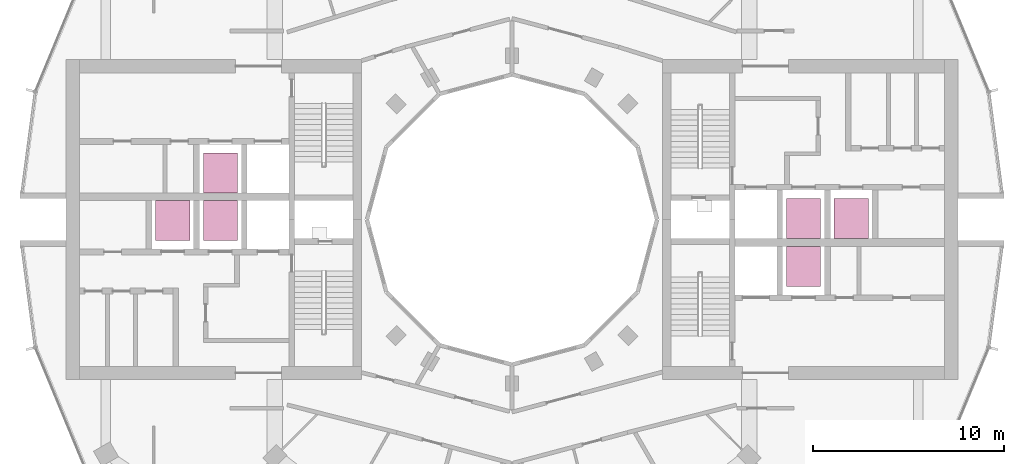
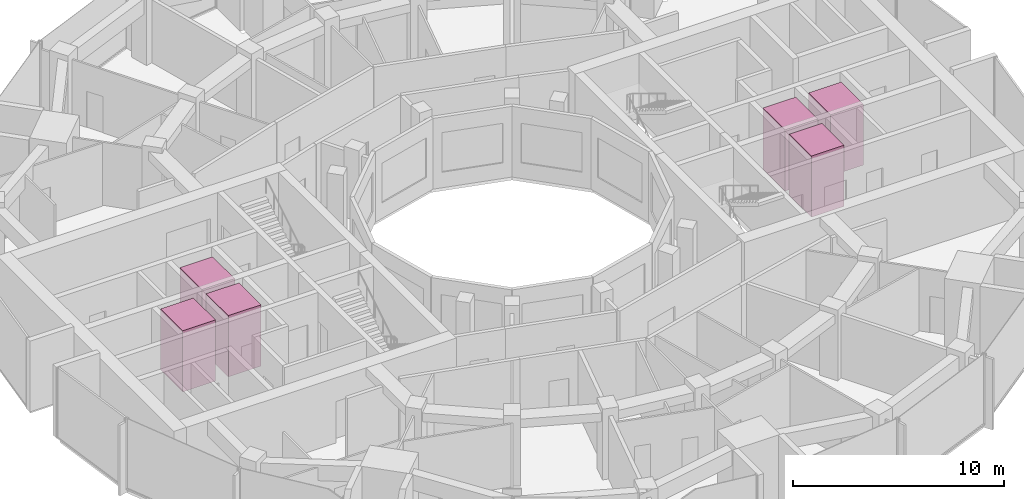
# One storey, part 15 of 15: 6 transport elements.
"""IFC4 building model written with IfcOpenShell, lengths in metres."""

from ifc_helpers import new_model, si_unit, direction, frame, origin, origin_2d, place, context, subcontext, project, spatial, rectangle, extrude, material, type_object, element, save


model = new_model("IFC4")

# Units and contexts
model_context = context("Model", 3, precision=1e-05, world=origin(), true_north=direction((0.0, 1.0)))
body_context = subcontext(model_context, "Body", "Model", "MODEL_VIEW")
ifc_project = project(units=[si_unit("LENGTHUNIT", "METRE"), si_unit("AREAUNIT", "SQUARE_METRE"), si_unit("VOLUMEUNIT", "CUBIC_METRE"), si_unit("PLANEANGLEUNIT", "RADIAN"), si_unit("MASSUNIT", "GRAM", prefix="KILO")], contexts=[model_context])

# Site, building, storey
site_placement = place(None, origin())
site = spatial("IfcSite", under=ifc_project, at=site_placement, CompositionType="ELEMENT")
building_placement = place(site_placement, origin())
building = spatial("IfcBuilding", under=site, at=building_placement, Name="Torre Brocal", CompositionType="ELEMENT")
storey_placement = place(building_placement, frame((0.0, 0.0, 194.60009765625)))
storey = spatial("IfcBuildingStorey", under=building, at=storey_placement, Name="L45", CompositionType="ELEMENT", Elevation=194.60009765625)

# Transport elements
ifc_material = material(Name="Stainless steel AISI 316", Category="steel")
transport_element_type = type_object("IfcTransportElementType", Name="PASSENGER LIFT", PredefinedType="ELEVATOR", material=ifc_material)
for number, where, z_axis, x_axis, name in (
    (1, (95.300048828125, 75.050048828125, 0.0), (0.0, 0.0, 1.0), (1.0, 0.0, 0.0), "HIGH RISE LIFT E-HR1"),
    (2, (95.300048828125, 72.550048828125, 0.0), (0.0, 0.0, 1.0), (1.0, 0.0, 0.0), "HIGH RISE LIFT E-HR2"),
    (3, (97.800048828125, 75.050048828125, 0.0), (0.0, 0.0, 1.0), (1.0, 0.0, 0.0), "HIGH RISE LIFT E-HR3"),
    (4, (64.699951171875, 74.949951171875, 0.0), (0.0, 0.0, 1.0), (1.0, 0.0, 0.0), "HIGH RISE LIFT W-HR1"),
    (5, (64.699951171875, 77.449951171875, 0.0), (0.0, 0.0, 1.0), (1.0, 0.0, 0.0), "HIGH RISE LIFT W-HR2"),
    (6, (62.199951171875, 74.949951171875, 0.0), (0.0, 0.0, 1.0), (1.0, 0.0, 0.0), "HIGH RISE LIFT W-HR3"),
):
    element("IfcTransportElement", number, at=place(storey_placement, frame(where, z_axis=z_axis, x_axis=x_axis)), inside=storey, type_object=transport_element_type, Name=name, PredefinedType="ELEVATOR", context=body_context, shape_type="SweptSolid", body=[
        extrude(rectangle(XDim=1.800048828125, YDim=2.10009765625, at=origin_2d()), origin(), (0.0, 0.0, 1.0), 3.550048828125),
    ])

save(model, "model.ifc")
